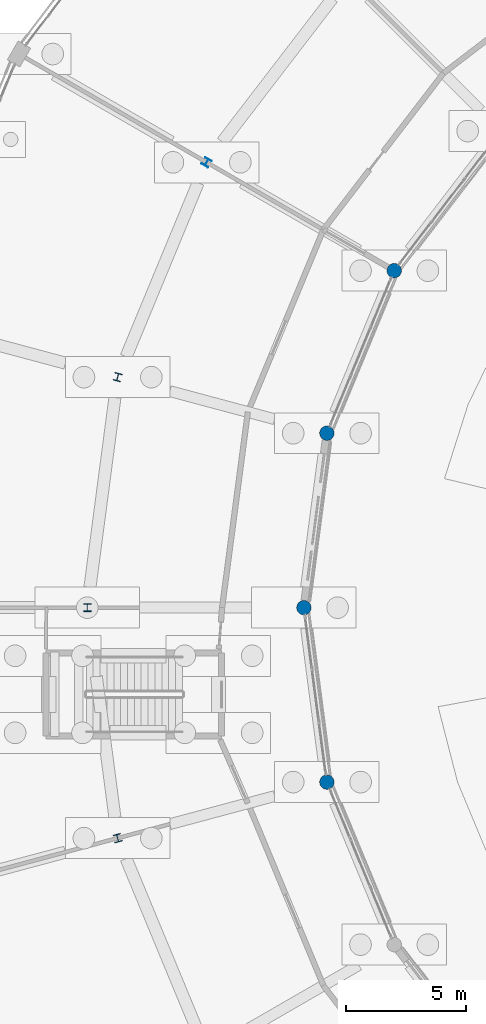
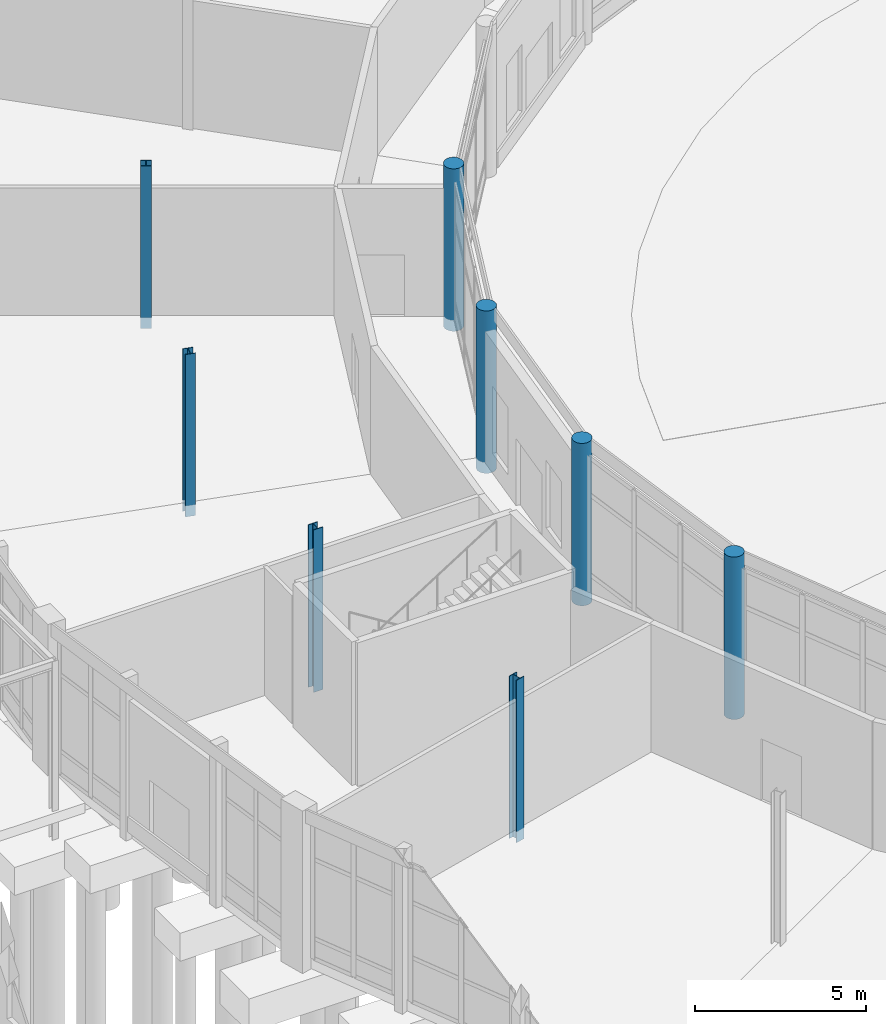
# One storey, part 15 of 137: 8 columns.
"""IFC4 building model written with IfcOpenShell, lengths in metres."""

from ifc_helpers import new_model, si_unit, direction, frame, origin, origin_2d, place, context, subcontext, project, spatial, circle, i_section, extrude, material, material_profile, profile_set, type_object, element, save


model = new_model("IFC4")

# Units and contexts
model_context = context("Model", 3, precision=1e-05, world=origin(), true_north=direction((0.0, 1.0)))
body_context = subcontext(model_context, "Body", "Model", "MODEL_VIEW")
ifc_project = project(units=[si_unit("LENGTHUNIT", "METRE"), si_unit("AREAUNIT", "SQUARE_METRE"), si_unit("VOLUMEUNIT", "CUBIC_METRE"), si_unit("PLANEANGLEUNIT", "RADIAN"), si_unit("MASSUNIT", "GRAM", prefix="KILO")], contexts=[model_context])

# Site, building, storey
site_placement = place(None, origin())
site = spatial("IfcSite", under=ifc_project, at=site_placement, CompositionType="ELEMENT")
building_placement = place(site_placement, origin())
building = spatial("IfcBuilding", under=site, at=building_placement, Name="Vondelvale Polytechnic", CompositionType="ELEMENT")
storey_placement = place(building_placement, origin())
storey = spatial("IfcBuildingStorey", under=building, at=storey_placement, Name="L00", CompositionType="ELEMENT", Elevation=0.0)

# Columns
ifc_material_1 = material(Name="Concrete N50 (f'c = 50 MPa)", Category="concrete")
ifc_material_profile_1 = material_profile(ifc_material_1, circle(Radius=0.300048828125, at=origin_2d()), Name="RC-COL-D600")
ifc_profile_set_1 = profile_set([ifc_material_profile_1], Name="Concrete N50 (f'c = 50 MPa)")
column_type_1 = type_object("IfcColumnType", Name="COL-RCD600", PredefinedType="COLUMN", material=ifc_profile_set_1)
for number, where, z_axis, x_axis, name in (
    (1, (77.751220703125, 86.0, -0.39990234375), (0.0, 0.0, 1.0), (-0.866025403784, 0.5, 0.0), "L00 courtyard ring column S10-RI"),
    (2, (74.9541015625, 79.246826171875, -0.39990234375), (0.0, 0.0, 1.0), (-0.965925826289, 0.258819045103, 0.0), "L00 courtyard ring column S11-RI"),
    (3, (74.0, 72.0, -0.39990234375), (0.0, 0.0, 1.0), (1.0, 0.0, 0.0), "L00 courtyard ring column S12-RI"),
    (4, (74.9541015625, 64.753173828125, -0.39990234375), (0.0, 0.0, 1.0), (0.965925826289, 0.258819045103, 0.0), "L00 courtyard ring column S13-RI"),
):
    element("IfcColumn", number, at=place(storey_placement, frame(where, z_axis=z_axis, x_axis=x_axis)), inside=storey, type_object=column_type_1, Name=name, PredefinedType="COLUMN", context=body_context, shape_type="SweptSolid", body=[
        extrude(circle(Radius=0.300048828125, at=origin_2d()), origin(), (0.0, 0.0, 1.0), 5.7998046875),
    ])
ifc_material_2 = material(Name="Steel 300PLUS (fy = 300 MPa)", Category="steel")
ifc_material_profile_2 = material_profile(ifc_material_2, i_section(OverallWidth=0.30908203125, OverallDepth=0.321044921875, WebThickness=0.013916015625, FlangeThickness=0.021728515625, FilletRadius=0.0166015625, at=origin_2d()), Name="310UC137")
ifc_profile_set_2 = profile_set([ifc_material_profile_2], Name="Steel 300PLUS (fy = 300 MPa)")
column_type_2 = type_object("IfcColumnType", Name="COL-UC310M", PredefinedType="COLUMN", material=ifc_profile_set_2)
for number, where, z_axis, x_axis, name in (
    (5, (69.95703125, 90.5, -0.39990234375), (0.0, 0.0, 1.0), (-0.866025403784, 0.5, 0.0), "L00 courtyard ring column S10-RM"),
    (6, (66.2607421875, 81.576416015625, -0.39990234375), (0.0, 0.0, 1.0), (-0.965925826289, 0.258819045103, 0.0), "L00 courtyard ring column S11-RM"),
    (7, (65.0, 72.0, -0.39990234375), (0.0, 0.0, 1.0), (1.0, 0.0, 0.0), "L00 courtyard ring column S12-RM"),
    (8, (66.2607421875, 62.423583984375, -0.39990234375), (0.0, 0.0, 1.0), (0.965925826289, 0.258819045103, 0.0), "L00 courtyard ring column S13-RM"),
):
    element("IfcColumn", number, at=place(storey_placement, frame(where, z_axis=z_axis, x_axis=x_axis)), inside=storey, type_object=column_type_2, Name=name, PredefinedType="COLUMN", context=body_context, shape_type="SweptSolid", body=[
        extrude(i_section(OverallWidth=0.30908203125, OverallDepth=0.321044921875, WebThickness=0.013916015625, FlangeThickness=0.021728515625, FilletRadius=0.0166015625, at=origin_2d()), origin(), (0.0, 0.0, 1.0), 5.7998046875),
    ])

save(model, "model.ifc")
